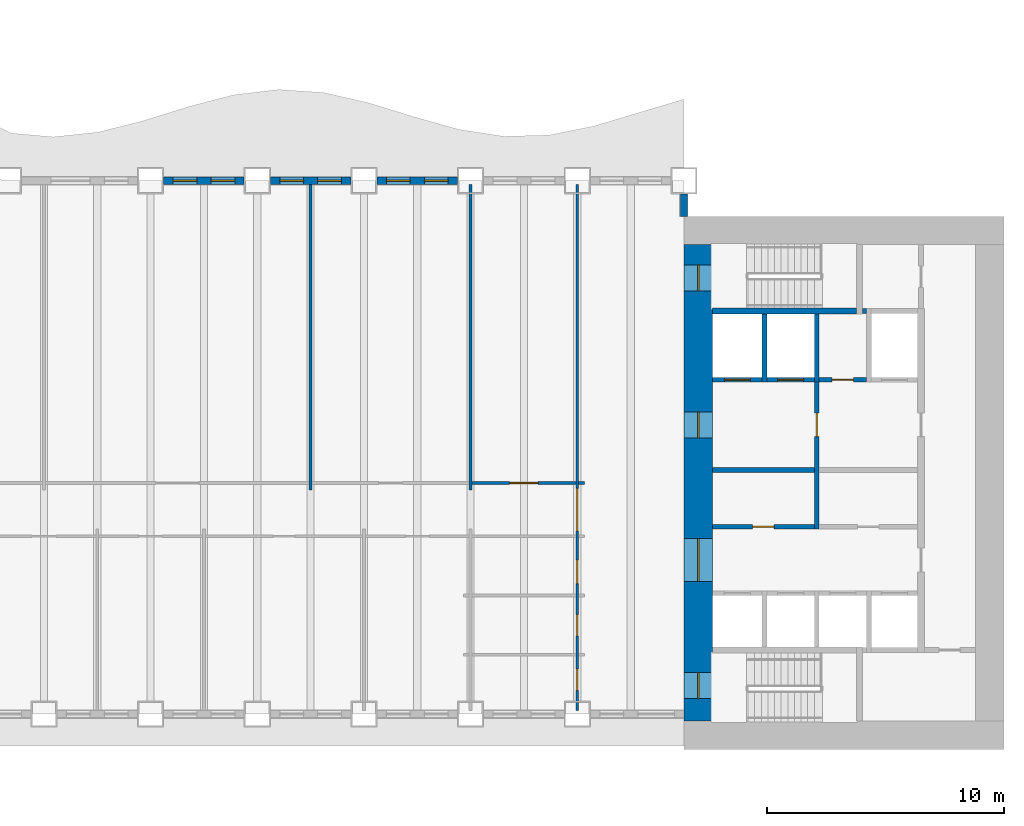
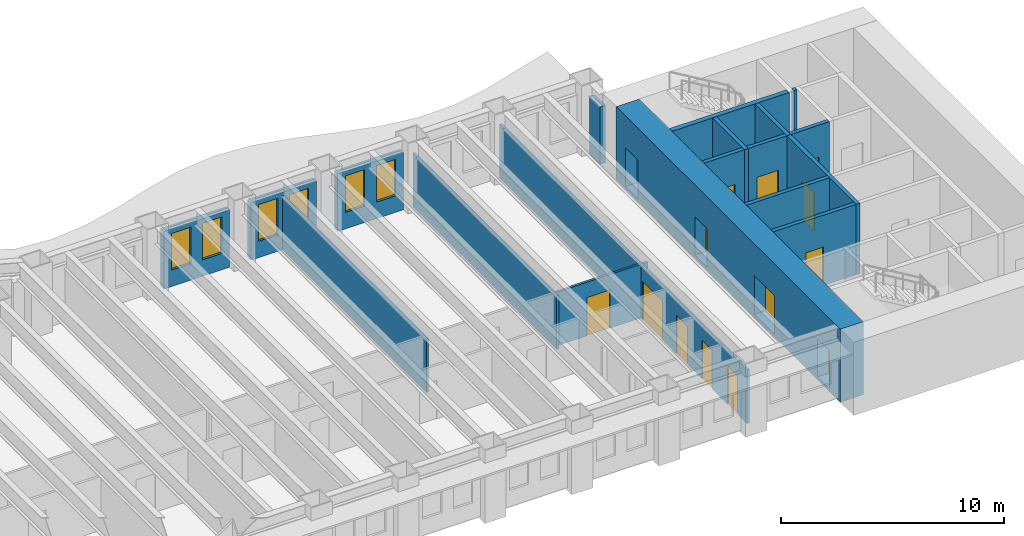
# One storey, part 6 of 15: 20 walls, 14 doors, 6 windows, 20 openings.
"""IFC4 building model written with IfcOpenShell, lengths in metres."""

from ifc_helpers import new_model, si_unit, direction, frame, frame_2d, origin, place, context, subcontext, project, spatial, rectangle, extrude, material, layer, layer_set, type_object, element, fill, save


model = new_model("IFC4")

# Units and contexts
model_context = context("Model", 3, precision=1e-05, world=origin(), true_north=direction((0.0, 1.0)))
body_context = subcontext(model_context, "Body", "Model", "MODEL_VIEW")
ifc_project = project(units=[si_unit("LENGTHUNIT", "METRE"), si_unit("AREAUNIT", "SQUARE_METRE"), si_unit("VOLUMEUNIT", "CUBIC_METRE"), si_unit("PLANEANGLEUNIT", "RADIAN"), si_unit("MASSUNIT", "GRAM", prefix="KILO")], contexts=[model_context])

# Site, building, storey
site_placement = place(None, origin())
site = spatial("IfcSite", under=ifc_project, at=site_placement, CompositionType="ELEMENT")
building_placement = place(site_placement, origin())
building = spatial("IfcBuilding", under=site, at=building_placement, Name="Sennacour Bend Tower", CompositionType="ELEMENT")
storey_placement = place(building_placement, frame((0.0, 0.0, 37.0)))
storey = spatial("IfcBuildingStorey", under=building, at=storey_placement, Name="L07", CompositionType="ELEMENT", Elevation=37.0)

# Wall, openings, doors
ifc_material_1 = material(Name="Concrete C80/95", Category="concrete")
ifc_layer_1 = layer(ifc_material_1, 1.199951171875, Name="Concrete C80/95", Category="concrete")
ifc_layer_set_1 = layer_set([ifc_layer_1], Name="Concrete C80/95")
wall_type_1 = type_object("IfcWallType", Name="Core wall 1200 C80/95", PredefinedType="SHEAR", material=ifc_layer_set_1)
wall_1_placement = place(storey_placement, frame((54.60009765625, 1.199951171875, -0.14990234375), z_axis=(0.0, 0.0, 1.0), x_axis=(0.0, 1.0, 0.0)))
wall_1 = element("IfcWall", 1, at=wall_1_placement, inside=storey, type_object=wall_type_1, Name="Core A wall L07 W", PredefinedType="SHEAR", context=body_context, shape_type="SweptSolid", body=[
    extrude(rectangle(XDim=20.10009765625, YDim=1.199951171875, at=frame_2d((10.050048828125, 0.0))), origin(), (0.0, 0.0, 1.0), 4.0),
])
opening_1_placement = place(wall_1_placement, frame((5.89990234375, 0.0, 0.14990234375)))
opening_1 = element("IfcOpeningElement", 2, at=opening_1_placement, cuts=wall_1, Name="Opening CD", PredefinedType="OPENING", context=body_context, shape_type="SweptSolid", body=[
    extrude(rectangle(XDim=1.800048828125, YDim=2.10009765625, at=frame_2d((0.89990234375, 1.050048828125))), frame((0.0, 0.60986328125, 0.0), z_axis=(0.0, -1.0, 0.0), x_axis=(1.0, 0.0, 0.0)), (0.0, 0.0, 1.0), 1.219970703125),
])
opening_2_placement = place(wall_1_placement, frame((11.949951171875, 0.0, 0.14990234375)))
opening_2 = element("IfcOpeningElement", 3, at=opening_2_placement, cuts=wall_1, Name="Opening FD", PredefinedType="OPENING", context=body_context, shape_type="SweptSolid", body=[
    extrude(rectangle(XDim=1.10009765625, YDim=2.10009765625, at=frame_2d((0.550048828125, 1.050048828125))), frame((0.0, 0.60986328125, 0.0), z_axis=(0.0, -1.0, 0.0), x_axis=(1.0, 0.0, 0.0)), (0.0, 0.0, 1.0), 1.219970703125),
])
opening_3_placement = place(wall_1_placement, frame((0.949951171875, 0.0, 0.14990234375)))
opening_3 = element("IfcOpeningElement", 4, at=opening_3_placement, cuts=wall_1, Name="Opening SD", PredefinedType="OPENING", context=body_context, shape_type="SweptSolid", body=[
    extrude(rectangle(XDim=1.10009765625, YDim=2.10009765625, at=frame_2d((0.550048828125, 1.050048828125))), frame((0.0, 0.60986328125, 0.0), z_axis=(0.0, -1.0, 0.0), x_axis=(1.0, 0.0, 0.0)), (0.0, 0.0, 1.0), 1.219970703125),
])
opening_4_placement = place(wall_1_placement, frame((18.14990234375, 0.0, 0.14990234375)))
opening_4 = element("IfcOpeningElement", 5, at=opening_4_placement, cuts=wall_1, Name="Opening SD", PredefinedType="OPENING", context=body_context, shape_type="SweptSolid", body=[
    extrude(rectangle(XDim=1.10009765625, YDim=2.10009765625, at=frame_2d((0.550048828125, 1.050048828125))), frame((0.0, 0.60986328125, 0.0), z_axis=(0.0, -1.0, 0.0), x_axis=(1.0, 0.0, 0.0)), (0.0, 0.0, 1.0), 1.219970703125),
])
ifc_material_2 = material(Name="Painted steel", Category="steel")
door_type_1 = type_object("IfcDoorType", Name="DR-FFL-1100", OperationType="NOTDEFINED", PredefinedType="DOOR", material=ifc_material_2)
door_1_placement = place(opening_2_placement, origin())
door_1 = element("IfcDoor", 6, at=door_1_placement, inside=storey, type_object=door_type_1, Name="Door", OperationType="SINGLE_SWING_RIGHT", OverallHeight=2.10009765625, OverallWidth=1.10009765625, PredefinedType="DOOR", context=body_context, shape_type="SweptSolid", body=[
    extrude(rectangle(XDim=1.10009765625, YDim=2.10009765625, at=frame_2d((0.550048828125, 1.050048828125))), frame((0.0, 0.02490234375, 0.0), z_axis=(0.0, -1.0, 0.0), x_axis=(1.0, 0.0, 0.0)), (0.0, 0.0, 1.0), 0.050048828125),
])
fill(opening_2, door_1)
door_type_2 = type_object("IfcDoorType", Name="DR-LOBBY-1800", OperationType="NOTDEFINED", PredefinedType="DOOR", material=ifc_material_2)
door_2_placement = place(opening_1_placement, origin())
door_2 = element("IfcDoor", 7, at=door_2_placement, inside=storey, type_object=door_type_2, Name="Door", OperationType="DOUBLE_DOOR_SINGLE_SWING", OverallHeight=2.10009765625, OverallWidth=1.800048828125, PredefinedType="DOOR", context=body_context, shape_type="SweptSolid", body=[
    extrude(rectangle(XDim=1.800048828125, YDim=2.10009765625, at=frame_2d((0.89990234375, 1.050048828125))), frame((0.0, 0.02490234375, 0.0), z_axis=(0.0, -1.0, 0.0), x_axis=(1.0, 0.0, 0.0)), (0.0, 0.0, 1.0), 0.050048828125),
])
fill(opening_1, door_2)
door_type_3 = type_object("IfcDoorType", Name="DR-STAIR-1100", OperationType="NOTDEFINED", PredefinedType="DOOR", material=ifc_material_2)
door_3_placement = place(opening_3_placement, origin())
door_3 = element("IfcDoor", 8, at=door_3_placement, inside=storey, type_object=door_type_3, Name="Door", OperationType="SINGLE_SWING_LEFT", OverallHeight=2.10009765625, OverallWidth=1.10009765625, PredefinedType="DOOR", context=body_context, shape_type="SweptSolid", body=[
    extrude(rectangle(XDim=1.10009765625, YDim=2.10009765625, at=frame_2d((0.550048828125, 1.050048828125))), frame((0.0, 0.02490234375, 0.0), z_axis=(0.0, -1.0, 0.0), x_axis=(1.0, 0.0, 0.0)), (0.0, 0.0, 1.0), 0.050048828125),
])
fill(opening_3, door_3)
door_4_placement = place(opening_4_placement, origin())
door_4 = element("IfcDoor", 9, at=door_4_placement, inside=storey, type_object=door_type_3, Name="Door", OperationType="SINGLE_SWING_RIGHT", OverallHeight=2.10009765625, OverallWidth=1.10009765625, PredefinedType="DOOR", context=body_context, shape_type="SweptSolid", body=[
    extrude(rectangle(XDim=1.10009765625, YDim=2.10009765625, at=frame_2d((0.550048828125, 1.050048828125))), frame((0.0, 0.02490234375, 0.0), z_axis=(0.0, -1.0, 0.0), x_axis=(1.0, 0.0, 0.0)), (0.0, 0.0, 1.0), 0.050048828125),
])
fill(opening_4, door_4)

# Walls
ifc_material_3 = material(Name="Plasterboard partition on steel studs", Category="steel")
ifc_layer_2 = layer(ifc_material_3, 0.1201171875, Name="Plasterboard partition on steel studs", Category="steel")
ifc_layer_set_2 = layer_set([ifc_layer_2], Name="Plasterboard partition on steel studs")
wall_type_2 = type_object("IfcWallType", Name="Partition 120", PredefinedType="PARTITIONING", material=ifc_layer_set_2)
for number, where, z_axis, x_axis, name in (
    (10, (38.25, 10.949951171875, 0.0), (0.0, 0.0, 1.0), (0.0, 1.0, 0.0), "P-L07-W030a"),
    (11, (45.0, 10.949951171875, 0.0), (0.0, 0.0, 1.0), (0.0, 1.0, 0.0), "P-L07-W033a"),
):
    element("IfcWall", number, at=place(storey_placement, frame(where, z_axis=z_axis, x_axis=x_axis)), inside=storey, type_object=wall_type_2, Name=name, PredefinedType="PARTITIONING", context=body_context, shape_type="SweptSolid", body=[
        extrude(rectangle(XDim=12.900146484375, YDim=0.1201171875, at=frame_2d((6.4501953125, 0.0))), origin(), (0.0, 0.0, 1.0), 2.93798828125),
    ])

# Wall, opening, door
wall_2_placement = place(storey_placement, frame((45.06005859375, 11.25, 0.0), z_axis=(0.0, 0.0, 1.0), x_axis=(1.0, 0.0, 0.0)))
wall_2 = element("IfcWall", 12, at=wall_2_placement, inside=storey, type_object=wall_type_2, Name="P-L07-W060af", PredefinedType="PARTITIONING", context=body_context, shape_type="SweptSolid", body=[
    extrude(rectangle(XDim=4.3798828125, YDim=0.1201171875, at=frame_2d((2.18994140625, 0.0))), origin(), (0.0, 0.0, 1.0), 2.93798828125),
])
opening_5_placement = place(wall_2_placement, frame((1.58984375, 0.0, 0.0)))
opening_5 = element("IfcOpeningElement", 13, at=opening_5_placement, cuts=wall_2, Name="Opening MD", PredefinedType="OPENING", context=body_context, shape_type="SweptSolid", body=[
    extrude(rectangle(XDim=1.199951171875, YDim=2.10009765625, at=frame_2d((0.60009765625, 1.050048828125))), frame((0.0, 0.070068359375, 0.0), z_axis=(0.0, -1.0, 0.0), x_axis=(1.0, 0.0, 0.0)), (0.0, 0.0, 1.0), 0.14013671875),
])
ifc_material_4 = material(Name="Timber", Category="wood")
door_type_4 = type_object("IfcDoorType", Name="DR-MEETING-1200", OperationType="NOTDEFINED", PredefinedType="DOOR", material=ifc_material_4)
door_5_placement = place(opening_5_placement, origin())
door_5 = element("IfcDoor", 14, at=door_5_placement, inside=storey, type_object=door_type_4, Name="Door", OperationType="SINGLE_SWING_LEFT", OverallHeight=2.10009765625, OverallWidth=1.199951171875, PredefinedType="DOOR", context=body_context, shape_type="SweptSolid", body=[
    extrude(rectangle(XDim=1.199951171875, YDim=2.10009765625, at=frame_2d((0.60009765625, 1.050048828125))), frame((0.0, 0.02490234375, 0.0), z_axis=(0.0, -1.0, 0.0), x_axis=(1.0, 0.0, 0.0)), (0.0, 0.0, 1.0), 0.050048828125),
])
fill(opening_5, door_5)

# Wall
wall_3_placement = place(storey_placement, frame((49.56005859375, 11.25, 0.0), z_axis=(0.0, 0.0, 1.0), x_axis=(1.0, 0.0, 0.0)))
element("IfcWall", 15, at=wall_3_placement, inside=storey, type_object=wall_type_2, Name="P-L07-W060ag", PredefinedType="PARTITIONING", context=body_context, shape_type="SweptSolid", body=[
    extrude(rectangle(XDim=0.239990234375, YDim=0.1201171875, at=frame_2d((0.1201171875, 0.0))), origin(), (0.0, 0.0, 1.0), 2.93798828125),
])

# Wall, openings, doors
ifc_layer_3 = layer(ifc_material_3, 0.1201171875, Name="Plasterboard partition on steel studs", Category="steel")
ifc_layer_set_3 = layer_set([ifc_layer_3], Name="Plasterboard partition on steel studs")
wall_type_3 = type_object("IfcWallType", Name="Partition 120 EI 30", PredefinedType="PARTITIONING", material=ifc_layer_set_3)
wall_4_placement = place(storey_placement, frame((49.5, 1.64990234375, 0.0), z_axis=(0.0, 0.0, 1.0), x_axis=(0.0, 1.0, 0.0)))
wall_4 = element("IfcWall", 16, at=wall_4_placement, inside=storey, type_object=wall_type_3, Name="P-L07-W034a", PredefinedType="PARTITIONING", context=body_context, shape_type="SweptSolid", body=[
    extrude(rectangle(XDim=22.2001953125, YDim=0.1201171875, at=frame_2d((11.10009765625, 0.0))), origin(), (0.0, 0.0, 1.0), 2.93798828125),
])
opening_6_placement = place(wall_4_placement, frame((7.5751953125, 0.0, 0.0)))
opening_6 = element("IfcOpeningElement", 17, at=opening_6_placement, cuts=wall_4, Name="Opening KD3", PredefinedType="OPENING", context=body_context, shape_type="SweptSolid", body=[
    extrude(rectangle(XDim=1.800048828125, YDim=2.10009765625, at=frame_2d((0.89990234375, 1.050048828125))), frame((0.0, 0.070068359375, 0.0), z_axis=(0.0, -1.0, 0.0), x_axis=(1.0, 0.0, 0.0)), (0.0, 0.0, 1.0), 0.14013671875),
])
opening_7_placement = place(wall_4_placement, frame((0.85009765625, 0.0, 0.0)))
opening_7 = element("IfcOpeningElement", 18, at=opening_7_placement, cuts=wall_4, Name="Opening WD", PredefinedType="OPENING", context=body_context, shape_type="SweptSolid", body=[
    extrude(rectangle(XDim=0.89990234375, YDim=2.10009765625, at=frame_2d((0.449951171875, 1.050048828125))), frame((0.0, 0.070068359375, 0.0), z_axis=(0.0, -1.0, 0.0), x_axis=(1.0, 0.0, 0.0)), (0.0, 0.0, 1.0), 0.14013671875),
])
opening_8_placement = place(wall_4_placement, frame((3.150146484375, 0.0, 0.0)))
opening_8 = element("IfcOpeningElement", 19, at=opening_8_placement, cuts=wall_4, Name="Opening WD", PredefinedType="OPENING", context=body_context, shape_type="SweptSolid", body=[
    extrude(rectangle(XDim=0.89990234375, YDim=2.10009765625, at=frame_2d((0.449951171875, 1.050048828125))), frame((0.0, 0.070068359375, 0.0), z_axis=(0.0, -1.0, 0.0), x_axis=(1.0, 0.0, 0.0)), (0.0, 0.0, 1.0), 0.14013671875),
])
opening_9_placement = place(wall_4_placement, frame((5.35009765625, 0.0, 0.0)))
opening_9 = element("IfcOpeningElement", 20, at=opening_9_placement, cuts=wall_4, Name="Opening AD", PredefinedType="OPENING", context=body_context, shape_type="SweptSolid", body=[
    extrude(rectangle(XDim=1.0, YDim=2.10009765625, at=frame_2d((0.5, 1.050048828125))), frame((0.0, 0.070068359375, 0.0), z_axis=(0.0, -1.0, 0.0), x_axis=(1.0, 0.0, 0.0)), (0.0, 0.0, 1.0), 0.14013671875),
])
door_type_5 = type_object("IfcDoorType", Name="DR-ACC-WC-1000", OperationType="NOTDEFINED", PredefinedType="DOOR", material=ifc_material_4)
door_6_placement = place(opening_9_placement, origin())
door_6 = element("IfcDoor", 21, at=door_6_placement, inside=storey, type_object=door_type_5, Name="Door", OperationType="SINGLE_SWING_LEFT", OverallHeight=2.10009765625, OverallWidth=1.0, PredefinedType="DOOR", context=body_context, shape_type="SweptSolid", body=[
    extrude(rectangle(XDim=1.0, YDim=2.10009765625, at=frame_2d((0.5, 1.050048828125))), frame((0.0, 0.02490234375, 0.0), z_axis=(0.0, -1.0, 0.0), x_axis=(1.0, 0.0, 0.0)), (0.0, 0.0, 1.0), 0.050048828125),
])
fill(opening_9, door_6)
door_type_6 = type_object("IfcDoorType", Name="DR-CORRIDOR-1800", OperationType="NOTDEFINED", PredefinedType="DOOR", material=ifc_material_2)
door_7_placement = place(opening_6_placement, origin())
door_7 = element("IfcDoor", 22, at=door_7_placement, inside=storey, type_object=door_type_6, Name="Door", OperationType="DOUBLE_DOOR_SINGLE_SWING", OverallHeight=2.10009765625, OverallWidth=1.800048828125, PredefinedType="DOOR", context=body_context, shape_type="SweptSolid", body=[
    extrude(rectangle(XDim=1.800048828125, YDim=2.10009765625, at=frame_2d((0.89990234375, 1.050048828125))), frame((0.0, 0.02490234375, 0.0), z_axis=(0.0, -1.0, 0.0), x_axis=(1.0, 0.0, 0.0)), (0.0, 0.0, 1.0), 0.050048828125),
])
fill(opening_6, door_7)
door_type_7 = type_object("IfcDoorType", Name="DR-WC-900", OperationType="NOTDEFINED", PredefinedType="DOOR", material=ifc_material_4)
door_8_placement = place(opening_7_placement, origin())
door_8 = element("IfcDoor", 23, at=door_8_placement, inside=storey, type_object=door_type_7, Name="Door", OperationType="SINGLE_SWING_LEFT", OverallHeight=2.10009765625, OverallWidth=0.89990234375, PredefinedType="DOOR", context=body_context, shape_type="SweptSolid", body=[
    extrude(rectangle(XDim=0.89990234375, YDim=2.10009765625, at=frame_2d((0.449951171875, 1.050048828125))), frame((0.0, 0.02490234375, 0.0), z_axis=(0.0, -1.0, 0.0), x_axis=(1.0, 0.0, 0.0)), (0.0, 0.0, 1.0), 0.050048828125),
])
fill(opening_7, door_8)
door_9_placement = place(opening_8_placement, origin())
door_9 = element("IfcDoor", 24, at=door_9_placement, inside=storey, type_object=door_type_7, Name="Door", OperationType="SINGLE_SWING_LEFT", OverallHeight=2.10009765625, OverallWidth=0.89990234375, PredefinedType="DOOR", context=body_context, shape_type="SweptSolid", body=[
    extrude(rectangle(XDim=0.89990234375, YDim=2.10009765625, at=frame_2d((0.449951171875, 1.050048828125))), frame((0.0, 0.02490234375, 0.0), z_axis=(0.0, -1.0, 0.0), x_axis=(1.0, 0.0, 0.0)), (0.0, 0.0, 1.0), 0.050048828125),
])
fill(opening_8, door_9)

# Wall, opening, door
ifc_material_5 = material(Name="Fire-rated plasterboard partition on steel studs", Category="steel")
ifc_layer_4 = layer(ifc_material_5, 0.199951171875, Name="Fire-rated plasterboard partition on steel studs", Category="steel")
ifc_layer_set_4 = layer_set([ifc_layer_4], Name="Fire-rated plasterboard partition on steel studs")
wall_type_4 = type_object("IfcWallType", Name="Rated partition 200", PredefinedType="PARTITIONING", material=ifc_layer_set_4)
wall_5_placement = place(storey_placement, frame((55.199951171875, 9.39990234375, 0.0), z_axis=(0.0, 0.0, 1.0), x_axis=(1.0, 0.0, 0.0)))
wall_5 = element("IfcWall", 25, at=wall_5_placement, inside=storey, type_object=wall_type_4, Name="P-L07-W059a", PredefinedType="PARTITIONING", context=body_context, shape_type="SweptSolid", body=[
    extrude(rectangle(XDim=4.300048828125, YDim=0.199951171875, at=frame_2d((2.14990234375, 0.0))), origin(), (0.0, 0.0, 1.0), 3.85009765625),
])
opening_10_placement = place(wall_5_placement, frame((1.699951171875, 0.0, 0.0)))
opening_10 = element("IfcOpeningElement", 26, at=opening_10_placement, cuts=wall_5, Name="Opening SV", PredefinedType="OPENING", context=body_context, shape_type="SweptSolid", body=[
    extrude(rectangle(XDim=0.89990234375, YDim=2.10009765625, at=frame_2d((0.449951171875, 1.050048828125))), frame((0.0, 0.10986328125, 0.0), z_axis=(0.0, -1.0, 0.0), x_axis=(1.0, 0.0, 0.0)), (0.0, 0.0, 1.0), 0.219970703125),
])
door_type_8 = type_object("IfcDoorType", Name="DR-SERVICE-900", OperationType="NOTDEFINED", PredefinedType="DOOR", material=ifc_material_2)
door_10_placement = place(opening_10_placement, origin())
door_10 = element("IfcDoor", 27, at=door_10_placement, inside=storey, type_object=door_type_8, Name="Door", OperationType="SINGLE_SWING_LEFT", OverallHeight=2.10009765625, OverallWidth=0.89990234375, PredefinedType="DOOR", context=body_context, shape_type="SweptSolid", body=[
    extrude(rectangle(XDim=0.89990234375, YDim=2.10009765625, at=frame_2d((0.449951171875, 1.050048828125))), frame((0.0, 0.02490234375, 0.0), z_axis=(0.0, -1.0, 0.0), x_axis=(1.0, 0.0, 0.0)), (0.0, 0.0, 1.0), 0.050048828125),
])
fill(opening_10, door_10)

# Wall
wall_6_placement = place(storey_placement, frame((55.199951171875, 11.800048828125, 0.0), z_axis=(0.0, 0.0, 1.0), x_axis=(1.0, 0.0, 0.0)))
element("IfcWall", 28, at=wall_6_placement, inside=storey, type_object=wall_type_4, Name="P-L07-W061a", PredefinedType="PARTITIONING", context=body_context, shape_type="SweptSolid", body=[
    extrude(rectangle(XDim=4.300048828125, YDim=0.199951171875, at=frame_2d((2.14990234375, 0.0))), origin(), (0.0, 0.0, 1.0), 3.85009765625),
])

# Wall, opening, door
wall_7_placement = place(storey_placement, frame((59.699951171875, 15.60009765625, 0.0), z_axis=(0.0, 0.0, 1.0), x_axis=(1.0, 0.0, 0.0)))
wall_7 = element("IfcWall", 29, at=wall_7_placement, inside=storey, type_object=wall_type_4, Name="P-L07-W063", PredefinedType="PARTITIONING", context=body_context, shape_type="SweptSolid", body=[
    extrude(rectangle(XDim=2.0, YDim=0.199951171875, at=frame_2d((1.0, 0.0))), origin(), (0.0, 0.0, 1.0), 3.85009765625),
])
opening_11_placement = place(wall_7_placement, frame((0.550048828125, 0.0, 0.0)))
opening_11 = element("IfcOpeningElement", 30, at=opening_11_placement, cuts=wall_7, Name="Opening SV", PredefinedType="OPENING", context=body_context, shape_type="SweptSolid", body=[
    extrude(rectangle(XDim=0.89990234375, YDim=2.10009765625, at=frame_2d((0.449951171875, 1.050048828125))), frame((0.0, 0.10986328125, 0.0), z_axis=(0.0, -1.0, 0.0), x_axis=(1.0, 0.0, 0.0)), (0.0, 0.0, 1.0), 0.219970703125),
])
door_11_placement = place(opening_11_placement, origin())
door_11 = element("IfcDoor", 31, at=door_11_placement, inside=storey, type_object=door_type_8, Name="Door", OperationType="SINGLE_SWING_LEFT", OverallHeight=2.10009765625, OverallWidth=0.89990234375, PredefinedType="DOOR", context=body_context, shape_type="SweptSolid", body=[
    extrude(rectangle(XDim=0.89990234375, YDim=2.10009765625, at=frame_2d((0.449951171875, 1.050048828125))), frame((0.0, 0.02490234375, 0.0), z_axis=(0.0, -1.0, 0.0), x_axis=(1.0, 0.0, 0.0)), (0.0, 0.0, 1.0), 0.050048828125),
])
fill(opening_11, door_11)

# Wall
wall_8_placement = place(storey_placement, frame((61.52490234375, 18.5, 0.0), z_axis=(0.0, 0.0, 1.0), x_axis=(1.0, 0.0, 0.0)))
element("IfcWall", 32, at=wall_8_placement, inside=storey, type_object=wall_type_4, Name="P-L07-W067", PredefinedType="PARTITIONING", context=body_context, shape_type="SweptSolid", body=[
    extrude(rectangle(XDim=0.175048828125, YDim=0.199951171875, at=frame_2d((0.08740234375, 0.0))), origin(), (0.0, 0.0, 1.0), 3.85009765625),
])

# Wall, opening, door
ifc_layer_5 = layer(ifc_material_5, 0.199951171875, Name="Fire-rated plasterboard partition on steel studs", Category="steel")
ifc_layer_set_5 = layer_set([ifc_layer_5], Name="Fire-rated plasterboard partition on steel studs")
wall_type_5 = type_object("IfcWallType", Name="Rated partition 200 EI 90", PredefinedType="PARTITIONING", material=ifc_layer_set_5)
wall_9_placement = place(storey_placement, frame((59.60009765625, 9.300048828125, 0.0), z_axis=(0.0, 0.0, 1.0), x_axis=(0.0, 1.0, 0.0)))
wall_9 = element("IfcWall", 33, at=wall_9_placement, inside=storey, type_object=wall_type_5, Name="P-L07-W039", PredefinedType="PARTITIONING", context=body_context, shape_type="SweptSolid", body=[
    extrude(rectangle(XDim=6.199951171875, YDim=0.199951171875, at=frame_2d((3.10009765625, 0.0))), origin(), (0.0, 0.0, 1.0), 3.85009765625),
])
opening_12_placement = place(wall_9_placement, frame((3.89990234375, 0.0, 0.0)))
opening_12 = element("IfcOpeningElement", 34, at=opening_12_placement, cuts=wall_9, Name="Opening FD2", PredefinedType="OPENING", context=body_context, shape_type="SweptSolid", body=[
    extrude(rectangle(XDim=1.0, YDim=2.10009765625, at=frame_2d((0.5, 1.050048828125))), frame((0.0, 0.10986328125, 0.0), z_axis=(0.0, -1.0, 0.0), x_axis=(1.0, 0.0, 0.0)), (0.0, 0.0, 1.0), 0.219970703125),
])
door_type_9 = type_object("IfcDoorType", Name="DR-FFL-1000", OperationType="NOTDEFINED", PredefinedType="DOOR", material=ifc_material_2)
door_12_placement = place(opening_12_placement, origin())
door_12 = element("IfcDoor", 35, at=door_12_placement, inside=storey, type_object=door_type_9, Name="Door", OperationType="SINGLE_SWING_RIGHT", OverallHeight=2.10009765625, OverallWidth=1.0, PredefinedType="DOOR", context=body_context, shape_type="SweptSolid", body=[
    extrude(rectangle(XDim=1.0, YDim=2.10009765625, at=frame_2d((0.5, 1.050048828125))), frame((0.0, 0.02490234375, 0.0), z_axis=(0.0, -1.0, 0.0), x_axis=(1.0, 0.0, 0.0)), (0.0, 0.0, 1.0), 0.050048828125),
])
fill(opening_12, door_12)

# Wall
ifc_material_6 = material(Name="Warm limestone cladding", Category="masonry")
ifc_layer_6 = layer(ifc_material_6, 0.050048828125, Name="Warm limestone cladding", Category="masonry")
ifc_material_7 = material(Name="Precast concrete C40/50", Category="concrete")
ifc_layer_7 = layer(ifc_material_7, 0.25, Name="Precast concrete C40/50", Category="concrete")
ifc_layer_set_6 = layer_set([ifc_layer_6, ifc_layer_7], Name="Precast concrete C40/50 with limestone cladding")
wall_type_6 = type_object("IfcWallType", Name="STONE-CLAD PRECAST SPANDREL 300", PredefinedType="STANDARD", material=ifc_layer_set_6)
wall_10_placement = place(storey_placement, frame((54.0, 22.5, 0.0), z_axis=(0.0, 0.0, 1.0), x_axis=(0.0, 1.0, 0.0)))
element("IfcWall", 36, at=wall_10_placement, inside=storey, type_object=wall_type_6, Name="Stone spandrel and pier wall L07 07.00", PredefinedType="STANDARD", context=body_context, shape_type="SweptSolid", body=[
    extrude(rectangle(XDim=0.949951171875, YDim=0.300048828125, at=frame_2d((0.47509765625, 0.0))), origin(), (0.0, 0.0, 1.0), 3.14404296875),
])

# Wall, openings, windows
wall_11_placement = place(storey_placement, frame((44.449951171875, 24.0, 0.0), z_axis=(0.0, 0.0, 1.0), x_axis=(-1.0, 0.0, 0.0)))
wall_11 = element("IfcWall", 37, at=wall_11_placement, inside=storey, type_object=wall_type_6, Name="Stone spandrel and pier wall L07 08.02", PredefinedType="STANDARD", context=body_context, shape_type="SweptSolid", body=[
    extrude(rectangle(XDim=3.39990234375, YDim=0.300048828125, at=frame_2d((1.699951171875, 0.0))), origin(), (0.0, 0.0, 1.0), 3.14404296875),
])
opening_13_placement = place(wall_11_placement, frame((0.39990234375, 0.0, 0.89990234375)))
opening_13 = element("IfcOpeningElement", 38, at=opening_13_placement, cuts=wall_11, Name="Opening W8", PredefinedType="OPENING", context=body_context, shape_type="SweptSolid", body=[
    extrude(rectangle(XDim=1.0, YDim=2.0, at=frame_2d((0.5, 1.0))), frame((0.0, 0.16015625, 0.0), z_axis=(0.0, -1.0, 0.0), x_axis=(1.0, 0.0, 0.0)), (0.0, 0.0, 1.0), 0.320068359375),
])
opening_14_placement = place(wall_11_placement, frame((2.0, 0.0, 0.89990234375)))
opening_14 = element("IfcOpeningElement", 39, at=opening_14_placement, cuts=wall_11, Name="Opening W8", PredefinedType="OPENING", context=body_context, shape_type="SweptSolid", body=[
    extrude(rectangle(XDim=1.0, YDim=2.0, at=frame_2d((0.5, 1.0))), frame((0.0, 0.16015625, 0.0), z_axis=(0.0, -1.0, 0.0), x_axis=(1.0, 0.0, 0.0)), (0.0, 0.0, 1.0), 0.320068359375),
])
ifc_material_8 = material(Name="Clear low-emissivity glass", Category="glass")
window_type = type_object("IfcWindowType", Name="WIN-RIBBON-1000x2000", PartitioningType="SINGLE_PANEL", PredefinedType="WINDOW", material=ifc_material_8)
window_1_placement = place(opening_13_placement, origin())
window_1 = element("IfcWindow", 40, at=window_1_placement, inside=storey, type_object=window_type, Name="Ribbon window L07 08.02.0", OverallHeight=2.0, OverallWidth=1.0, PartitioningType="SINGLE_PANEL", PredefinedType="WINDOW", context=body_context, shape_type="SweptSolid", body=[
    extrude(rectangle(XDim=1.0, YDim=2.0, at=frame_2d((0.5, 1.0))), frame((0.0, 0.030029296875, 0.0), z_axis=(0.0, -1.0, 0.0), x_axis=(1.0, 0.0, 0.0)), (0.0, 0.0, 1.0), 0.06005859375),
])
fill(opening_13, window_1)
window_2_placement = place(opening_14_placement, origin())
window_2 = element("IfcWindow", 41, at=window_2_placement, inside=storey, type_object=window_type, Name="Ribbon window L07 08.02.1", OverallHeight=2.0, OverallWidth=1.0, PartitioningType="SINGLE_PANEL", PredefinedType="WINDOW", context=body_context, shape_type="SweptSolid", body=[
    extrude(rectangle(XDim=1.0, YDim=2.0, at=frame_2d((0.5, 1.0))), frame((0.0, 0.030029296875, 0.0), z_axis=(0.0, -1.0, 0.0), x_axis=(1.0, 0.0, 0.0)), (0.0, 0.0, 1.0), 0.06005859375),
])
fill(opening_14, window_2)

wall_12_placement = place(storey_placement, frame((39.949951171875, 24.0, 0.0), z_axis=(0.0, 0.0, 1.0), x_axis=(-1.0, 0.0, 0.0)))
wall_12 = element("IfcWall", 42, at=wall_12_placement, inside=storey, type_object=wall_type_6, Name="Stone spandrel and pier wall L07 08.03", PredefinedType="STANDARD", context=body_context, shape_type="SweptSolid", body=[
    extrude(rectangle(XDim=3.39990234375, YDim=0.300048828125, at=frame_2d((1.699951171875, 0.0))), origin(), (0.0, 0.0, 1.0), 3.14404296875),
])
opening_15_placement = place(wall_12_placement, frame((0.39990234375, 0.0, 0.89990234375)))
opening_15 = element("IfcOpeningElement", 43, at=opening_15_placement, cuts=wall_12, Name="Opening W8", PredefinedType="OPENING", context=body_context, shape_type="SweptSolid", body=[
    extrude(rectangle(XDim=1.0, YDim=2.0, at=frame_2d((0.5, 1.0))), frame((0.0, 0.16015625, 0.0), z_axis=(0.0, -1.0, 0.0), x_axis=(1.0, 0.0, 0.0)), (0.0, 0.0, 1.0), 0.320068359375),
])
opening_16_placement = place(wall_12_placement, frame((2.0, 0.0, 0.89990234375)))
opening_16 = element("IfcOpeningElement", 44, at=opening_16_placement, cuts=wall_12, Name="Opening W8", PredefinedType="OPENING", context=body_context, shape_type="SweptSolid", body=[
    extrude(rectangle(XDim=1.0, YDim=2.0, at=frame_2d((0.5, 1.0))), frame((0.0, 0.16015625, 0.0), z_axis=(0.0, -1.0, 0.0), x_axis=(1.0, 0.0, 0.0)), (0.0, 0.0, 1.0), 0.320068359375),
])
window_3_placement = place(opening_15_placement, origin())
window_3 = element("IfcWindow", 45, at=window_3_placement, inside=storey, type_object=window_type, Name="Ribbon window L07 08.03.0", OverallHeight=2.0, OverallWidth=1.0, PartitioningType="SINGLE_PANEL", PredefinedType="WINDOW", context=body_context, shape_type="SweptSolid", body=[
    extrude(rectangle(XDim=1.0, YDim=2.0, at=frame_2d((0.5, 1.0))), frame((0.0, 0.030029296875, 0.0), z_axis=(0.0, -1.0, 0.0), x_axis=(1.0, 0.0, 0.0)), (0.0, 0.0, 1.0), 0.06005859375),
])
fill(opening_15, window_3)
window_4_placement = place(opening_16_placement, origin())
window_4 = element("IfcWindow", 46, at=window_4_placement, inside=storey, type_object=window_type, Name="Ribbon window L07 08.03.1", OverallHeight=2.0, OverallWidth=1.0, PartitioningType="SINGLE_PANEL", PredefinedType="WINDOW", context=body_context, shape_type="SweptSolid", body=[
    extrude(rectangle(XDim=1.0, YDim=2.0, at=frame_2d((0.5, 1.0))), frame((0.0, 0.030029296875, 0.0), z_axis=(0.0, -1.0, 0.0), x_axis=(1.0, 0.0, 0.0)), (0.0, 0.0, 1.0), 0.06005859375),
])
fill(opening_16, window_4)

wall_13_placement = place(storey_placement, frame((35.449951171875, 24.0, 0.0), z_axis=(0.0, 0.0, 1.0), x_axis=(-1.0, 0.0, 0.0)))
wall_13 = element("IfcWall", 47, at=wall_13_placement, inside=storey, type_object=wall_type_6, Name="Stone spandrel and pier wall L07 08.04", PredefinedType="STANDARD", context=body_context, shape_type="SweptSolid", body=[
    extrude(rectangle(XDim=3.39990234375, YDim=0.300048828125, at=frame_2d((1.699951171875, 0.0))), origin(), (0.0, 0.0, 1.0), 3.14404296875),
])
opening_17_placement = place(wall_13_placement, frame((0.39990234375, 0.0, 0.89990234375)))
opening_17 = element("IfcOpeningElement", 48, at=opening_17_placement, cuts=wall_13, Name="Opening W8", PredefinedType="OPENING", context=body_context, shape_type="SweptSolid", body=[
    extrude(rectangle(XDim=1.0, YDim=2.0, at=frame_2d((0.5, 1.0))), frame((0.0, 0.16015625, 0.0), z_axis=(0.0, -1.0, 0.0), x_axis=(1.0, 0.0, 0.0)), (0.0, 0.0, 1.0), 0.320068359375),
])
opening_18_placement = place(wall_13_placement, frame((2.0, 0.0, 0.89990234375)))
opening_18 = element("IfcOpeningElement", 49, at=opening_18_placement, cuts=wall_13, Name="Opening W8", PredefinedType="OPENING", context=body_context, shape_type="SweptSolid", body=[
    extrude(rectangle(XDim=1.0, YDim=2.0, at=frame_2d((0.5, 1.0))), frame((0.0, 0.16015625, 0.0), z_axis=(0.0, -1.0, 0.0), x_axis=(1.0, 0.0, 0.0)), (0.0, 0.0, 1.0), 0.320068359375),
])
window_5_placement = place(opening_17_placement, origin())
window_5 = element("IfcWindow", 50, at=window_5_placement, inside=storey, type_object=window_type, Name="Ribbon window L07 08.04.0", OverallHeight=2.0, OverallWidth=1.0, PartitioningType="SINGLE_PANEL", PredefinedType="WINDOW", context=body_context, shape_type="SweptSolid", body=[
    extrude(rectangle(XDim=1.0, YDim=2.0, at=frame_2d((0.5, 1.0))), frame((0.0, 0.030029296875, 0.0), z_axis=(0.0, -1.0, 0.0), x_axis=(1.0, 0.0, 0.0)), (0.0, 0.0, 1.0), 0.06005859375),
])
fill(opening_17, window_5)
window_6_placement = place(opening_18_placement, origin())
window_6 = element("IfcWindow", 51, at=window_6_placement, inside=storey, type_object=window_type, Name="Ribbon window L07 08.04.1", OverallHeight=2.0, OverallWidth=1.0, PartitioningType="SINGLE_PANEL", PredefinedType="WINDOW", context=body_context, shape_type="SweptSolid", body=[
    extrude(rectangle(XDim=1.0, YDim=2.0, at=frame_2d((0.5, 1.0))), frame((0.0, 0.030029296875, 0.0), z_axis=(0.0, -1.0, 0.0), x_axis=(1.0, 0.0, 0.0)), (0.0, 0.0, 1.0), 0.06005859375),
])
fill(opening_18, window_6)

# Walls
ifc_material_9 = material(Name="Concrete C50/60", Category="concrete")
ifc_layer_8 = layer(ifc_material_9, 0.199951171875, Name="Concrete C50/60", Category="concrete")
ifc_layer_set_7 = layer_set([ifc_layer_8], Name="Concrete C50/60")
wall_type_7 = type_object("IfcWallType", Name="Shaft wall 200", PredefinedType="SOLIDWALL", material=ifc_layer_set_7)
for number, where, z_axis, x_axis, name in (
    (52, (57.39990234375, 15.5, 0.0), (0.0, 0.0, 1.0), (0.0, 1.0, 0.0), "P-L07-W037"),
    (53, (59.60009765625, 15.5, 0.0), (0.0, 0.0, 1.0), (0.0, 1.0, 0.0), "P-L07-W040"),
):
    element("IfcWall", number, at=place(storey_placement, frame(where, z_axis=z_axis, x_axis=x_axis)), inside=storey, type_object=wall_type_7, Name=name, PredefinedType="SOLIDWALL", context=body_context, shape_type="SweptSolid", body=[
        extrude(rectangle(XDim=2.875, YDim=0.199951171875, at=frame_2d((1.4375, 0.0))), origin(), (0.0, 0.0, 1.0), 3.85009765625),
    ])

# Wall, opening, door
wall_14_placement = place(storey_placement, frame((55.199951171875, 15.60009765625, 0.0), z_axis=(0.0, 0.0, 1.0), x_axis=(1.0, 0.0, 0.0)))
wall_14 = element("IfcWall", 54, at=wall_14_placement, inside=storey, type_object=wall_type_7, Name="P-L07-W062a", PredefinedType="SOLIDWALL", context=body_context, shape_type="SweptSolid", body=[
    extrude(rectangle(XDim=2.10009765625, YDim=0.199951171875, at=frame_2d((1.050048828125, 0.0))), origin(), (0.0, 0.0, 1.0), 3.85009765625),
])
opening_19_placement = place(wall_14_placement, frame((0.5, 0.0, 0.011962890625)))
opening_19 = element("IfcOpeningElement", 55, at=opening_19_placement, cuts=wall_14, Name="Opening FLD", PredefinedType="OPENING", context=body_context, shape_type="SweptSolid", body=[
    extrude(rectangle(XDim=1.10009765625, YDim=2.10009765625, at=frame_2d((0.550048828125, 1.050048828125))), frame((0.0, 0.10986328125, 0.0), z_axis=(0.0, -1.0, 0.0), x_axis=(1.0, 0.0, 0.0)), (0.0, 0.0, 1.0), 0.219970703125),
])
ifc_material_10 = material(Name="Stainless steel", Category="steel")
door_type_10 = type_object("IfcDoorType", Name="DR-FF-LANDING-1100", OperationType="NOTDEFINED", PredefinedType="DOOR", material=ifc_material_10)
door_13_placement = place(opening_19_placement, origin())
door_13 = element("IfcDoor", 56, at=door_13_placement, inside=storey, type_object=door_type_10, Name="Fire service lift landing door FA1", OperationType="SLIDING_TO_LEFT", OverallHeight=2.10009765625, OverallWidth=1.10009765625, PredefinedType="DOOR", context=body_context, shape_type="SweptSolid", body=[
    extrude(rectangle(XDim=1.10009765625, YDim=2.10009765625, at=frame_2d((0.550048828125, 1.050048828125))), frame((0.0, 0.02490234375, 0.0), z_axis=(0.0, -1.0, 0.0), x_axis=(1.0, 0.0, 0.0)), (0.0, 0.0, 1.0), 0.050048828125),
])
fill(opening_19, door_13)

wall_15_placement = place(storey_placement, frame((57.5, 15.60009765625, 0.0), z_axis=(0.0, 0.0, 1.0), x_axis=(1.0, 0.0, 0.0)))
wall_15 = element("IfcWall", 57, at=wall_15_placement, inside=storey, type_object=wall_type_7, Name="P-L07-W062b", PredefinedType="SOLIDWALL", context=body_context, shape_type="SweptSolid", body=[
    extrude(rectangle(XDim=2.0, YDim=0.199951171875, at=frame_2d((1.0, 0.0))), origin(), (0.0, 0.0, 1.0), 3.85009765625),
])
opening_20_placement = place(wall_15_placement, frame((0.449951171875, 0.0, 0.011962890625)))
opening_20 = element("IfcOpeningElement", 58, at=opening_20_placement, cuts=wall_15, Name="Opening FLD", PredefinedType="OPENING", context=body_context, shape_type="SweptSolid", body=[
    extrude(rectangle(XDim=1.10009765625, YDim=2.10009765625, at=frame_2d((0.550048828125, 1.050048828125))), frame((0.0, 0.10986328125, 0.0), z_axis=(0.0, -1.0, 0.0), x_axis=(1.0, 0.0, 0.0)), (0.0, 0.0, 1.0), 0.219970703125),
])
door_14_placement = place(opening_20_placement, origin())
door_14 = element("IfcDoor", 59, at=door_14_placement, inside=storey, type_object=door_type_10, Name="Fire service lift landing door FA2", OperationType="SLIDING_TO_RIGHT", OverallHeight=2.10009765625, OverallWidth=1.10009765625, PredefinedType="DOOR", context=body_context, shape_type="SweptSolid", body=[
    extrude(rectangle(XDim=1.10009765625, YDim=2.10009765625, at=frame_2d((0.550048828125, 1.050048828125))), frame((0.0, 0.02490234375, 0.0), z_axis=(0.0, -1.0, 0.0), x_axis=(1.0, 0.0, 0.0)), (0.0, 0.0, 1.0), 0.050048828125),
])
fill(opening_20, door_14)

# Wall
ifc_material_11 = material(Name="Concrete C60/75", Category="concrete")
ifc_layer_9 = layer(ifc_material_11, 0.25, Name="Concrete C60/75", Category="concrete")
ifc_layer_set_8 = layer_set([ifc_layer_9], Name="Concrete C60/75")
wall_type_8 = type_object("IfcWallType", Name="Stair wall 250", PredefinedType="SHEAR", material=ifc_layer_set_8)
wall_16_placement = place(storey_placement, frame((55.199951171875, 18.5, 0.0), z_axis=(0.0, 0.0, 1.0), x_axis=(1.0, 0.0, 0.0)))
element("IfcWall", 60, at=wall_16_placement, inside=storey, type_object=wall_type_8, Name="P-L07-W066", PredefinedType="SHEAR", context=body_context, shape_type="SweptSolid", body=[
    extrude(rectangle(XDim=6.074951171875, YDim=0.25, at=frame_2d((3.03759765625, 0.0))), origin(), (0.0, 0.0, 1.0), 3.85009765625),
])

save(model, "model.ifc")
